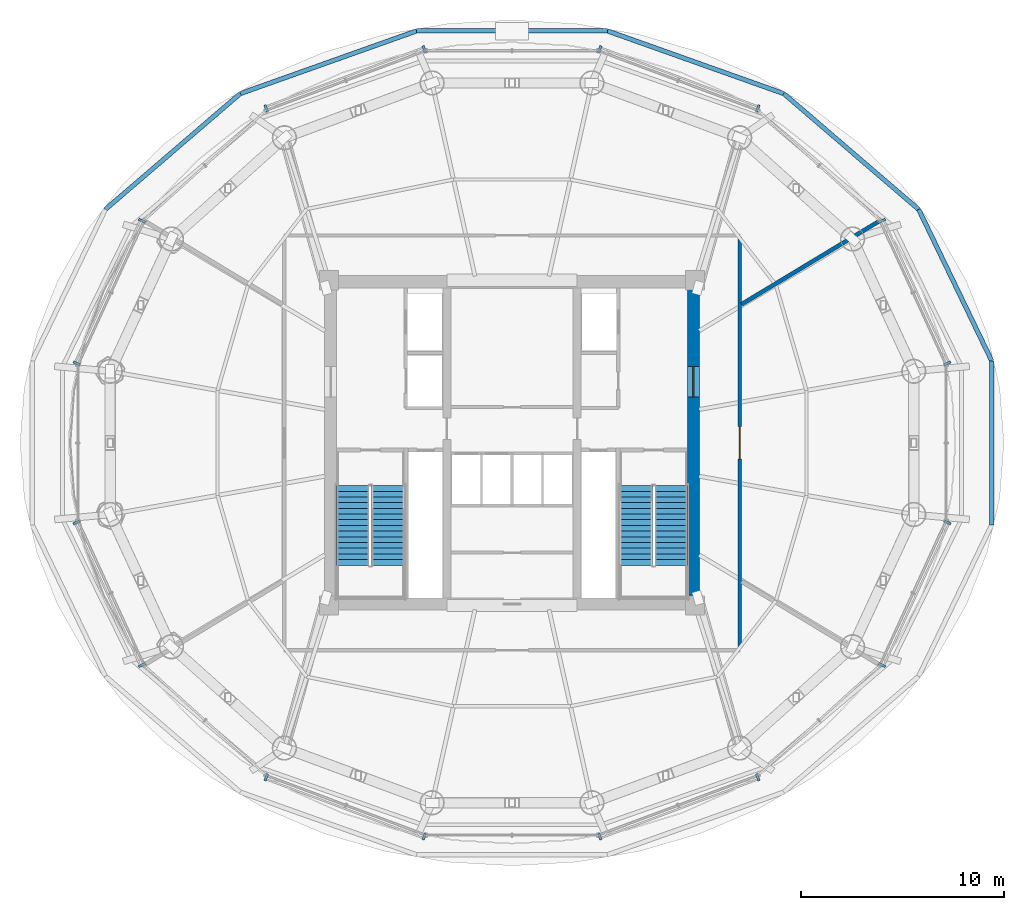
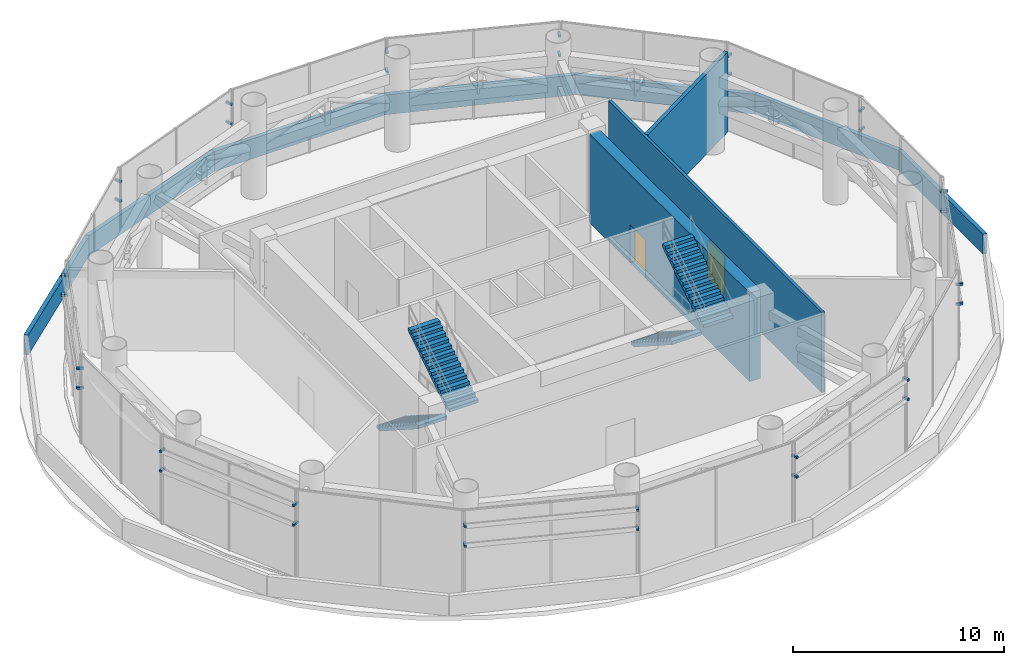
# One storey, part 22 of 25: 32 discrete accessories, 10 walls, 4 stair flights, 2 doors, 2 openings, 2 elements without a shape of their own.
"""IFC4 building model written with IfcOpenShell, lengths in metres."""

import ifcopenshell
import ifcopenshell.guid

model = None  # the IFC model being written
_history = None  # IfcOwnerHistory: only IFC2X3 demands one
_inside = {}  # id of a spatial element -> (the spatial element, [elements in it])
_under = {}  # id of a project, library or spatial element -> (it, [spatial elements below it])
_declared = {}  # id of a project -> (the project, [libraries it declares])
_typed = {}  # id of a type object -> (the type object, [elements of that type])
_made_of = {}  # id of a material, layer set ... -> (it, [elements and type objects made of it])


def new_model(schema):
    """Start an empty IFC model of exactly this schema.

    Asked for "IFC4X3", IfcOpenShell would pick the latest addendum, in which some entities
    have other attributes; the version numbers below select the first issue.
    IFC2X3 requires an IfcOwnerHistory on every rooted entity: one is made here for all.
    """
    global model, _history
    if schema == "IFC4X3":
        model = ifcopenshell.file(schema_version=(4, 3, 0, 0))
    else:
        model = ifcopenshell.file(schema=schema)
    _inside.clear()
    _under.clear()
    _declared.clear()
    _typed.clear()
    _made_of.clear()
    _history = None
    if model.schema == "IFC2X3":
        org = make("IfcOrganization", Name="unknown")
        user = make(
            "IfcPersonAndOrganization",
            ThePerson=make("IfcPerson", FamilyName="unknown"),
            TheOrganization=org,
        )
        app = make(
            "IfcApplication",
            ApplicationDeveloper=org,
            Version="unknown",
            ApplicationFullName="unknown",
            ApplicationIdentifier="unknown",
        )
        _history = make(
            "IfcOwnerHistory",
            OwningUser=user,
            OwningApplication=app,
            ChangeAction="ADDED",
            CreationDate=0,
        )
    return model


def make(cls, **values):
    """One entity of the class cls with the attributes given. An attribute that is None is left unset."""
    return model.create_entity(
        cls, **{name: value for name, value in values.items() if value is not None}
    )


def rooted(cls, **values):
    """An entity with a GlobalId (a new one), such as an element, a storey or a relation."""
    return make(cls, GlobalId=ifcopenshell.guid.new(), OwnerHistory=_history, **values)


def si_unit(unit_type, name, prefix=None):
    """IfcSIUnit, for example si_unit("LENGTHUNIT", "METRE", prefix="MILLI")."""
    return make("IfcSIUnit", UnitType=unit_type, Prefix=prefix, Name=name)


def assignment(units):
    """IfcUnitAssignment: the units of a project."""
    return None if units is None else make("IfcUnitAssignment", Units=units)


def point(xyz):
    """IfcCartesianPoint."""
    return None if xyz is None else make("IfcCartesianPoint", Coordinates=xyz)


def direction(xyz):
    """IfcDirection."""
    return None if xyz is None else make("IfcDirection", DirectionRatios=xyz)


def frame(location, z_axis=None, x_axis=None):
    """IfcAxis2Placement3D, a coordinate frame: its origin and axes. An axis left out is left unset."""
    return make(
        "IfcAxis2Placement3D",
        Location=point(location),
        Axis=direction(z_axis),
        RefDirection=direction(x_axis),
    )


def frame_2d(location, x_axis=None):
    """IfcAxis2Placement2D, a coordinate frame in the plane: its origin and x axis."""
    return make(
        "IfcAxis2Placement2D", Location=point(location), RefDirection=direction(x_axis)
    )


def origin():
    """The frame at (0, 0, 0) with its axes left unset."""
    return frame((0.0, 0.0, 0.0))


def origin_2d():
    """The frame at (0, 0) in the plane with its x axis left unset."""
    return frame_2d((0.0, 0.0))


def place(relative_to, where):
    """IfcLocalPlacement: puts the frame where relative to a parent placement (None: the world)."""
    return make(
        "IfcLocalPlacement", PlacementRelTo=relative_to, RelativePlacement=where
    )


def context(
    kind, dimensions, precision=None, world=None, true_north=None, identifier=None
):
    """IfcGeometricRepresentationContext, for example the 3D "Model" context."""
    return make(
        "IfcGeometricRepresentationContext",
        ContextIdentifier=identifier,
        ContextType=kind,
        CoordinateSpaceDimension=dimensions,
        Precision=precision,
        WorldCoordinateSystem=world,
        TrueNorth=true_north,
    )


def subcontext(parent, identifier, kind, view, scale=None):
    """IfcGeometricRepresentationSubContext, for example "Body" below "Model"."""
    return make(
        "IfcGeometricRepresentationSubContext",
        ContextIdentifier=identifier,
        ContextType=kind,
        ParentContext=parent,
        TargetScale=scale,
        TargetView=view,
    )


def project(units=None, contexts=None):
    """IfcProject with its units and contexts."""
    return rooted(
        "IfcProject",
        Name="project",
        RepresentationContexts=contexts,
        UnitsInContext=assignment(units),
    )


def spatial(cls, under=None, at=None, **own):
    """A site, building, storey or space (cls), placed at a placement, below another one or the project."""
    s = rooted(cls, ObjectPlacement=at, **own)
    if under is not None:
        _under.setdefault(under.id(), (under, []))[1].append(s)
    return s


def polyline(points):
    """IfcPolyline through the points."""
    return make("IfcPolyline", Points=[point(p) for p in points])


def profile(cls, at=None, kind="AREA", **sizes):
    """A parametric profile (cls). Its sizes go by their IFC names, for example OverallWidth=200.0."""
    return make(cls, ProfileType=kind, Position=at, **sizes)


def rectangle(**sizes):
    """IfcRectangleProfileDef."""
    return profile("IfcRectangleProfileDef", **sizes)


def outline(outer, holes=None, kind="AREA"):
    """IfcArbitraryClosedProfileDef: a profile drawn as a closed curve; with holes, ...WithVoids."""
    if holes is None:
        return make("IfcArbitraryClosedProfileDef", ProfileType=kind, OuterCurve=outer)
    return make(
        "IfcArbitraryProfileDefWithVoids",
        ProfileType=kind,
        OuterCurve=outer,
        InnerCurves=holes,
    )


def extrude(swept, where, along, depth):
    """IfcExtrudedAreaSolid: the profile swept, set in the frame where, extruded along a direction by depth."""
    return make(
        "IfcExtrudedAreaSolid",
        SweptArea=swept,
        Position=where,
        ExtrudedDirection=direction(along),
        Depth=depth,
    )


def shape(context_of_items, identifier, shape_type, items):
    """IfcShapeRepresentation: the items that make up one representation, for example the "Body"."""
    return make(
        "IfcShapeRepresentation",
        ContextOfItems=context_of_items,
        RepresentationIdentifier=identifier,
        RepresentationType=shape_type,
        Items=items,
    )


def source(mapping_origin, context_of_items, identifier, shape_type, items):
    """IfcRepresentationMap: a shape defined once, which mapped items show again and again."""
    return make(
        "IfcRepresentationMap",
        MappingOrigin=mapping_origin,
        MappedRepresentation=shape(context_of_items, identifier, shape_type, items),
    )


def transform(
    local_origin,
    x_axis=None,
    y_axis=None,
    z_axis=None,
    scale=None,
    scale2=None,
    scale3=None,
    uniform=True,
):
    """IfcCartesianTransformationOperator3D, or its non-uniform kind. x_axis, y_axis, z_axis: its Axis1, 2, 3."""
    if uniform:
        return make(
            "IfcCartesianTransformationOperator3D",
            Axis1=direction(x_axis),
            Axis2=direction(y_axis),
            LocalOrigin=point(local_origin),
            Scale=scale,
            Axis3=direction(z_axis),
        )
    return make(
        "IfcCartesianTransformationOperator3DnonUniform",
        Axis1=direction(x_axis),
        Axis2=direction(y_axis),
        LocalOrigin=point(local_origin),
        Scale=scale,
        Axis3=direction(z_axis),
        Scale2=scale2,
        Scale3=scale3,
    )


def mapped(mapping_source, mapping_target):
    """IfcMappedItem: shows the shape of a source again, moved by a transform."""
    return make(
        "IfcMappedItem", MappingSource=mapping_source, MappingTarget=mapping_target
    )


def material(Name=None, Category=None):
    """IfcMaterial."""
    return make("IfcMaterial", Name=Name, Category=Category)


def layer(
    of_material, thickness, ventilated=None, Name=None, Category=None, Priority=None
):
    """IfcMaterialLayer: one layer of a wall or slab, of a material (None: an air gap)."""
    return make(
        "IfcMaterialLayer",
        Material=of_material,
        LayerThickness=thickness,
        IsVentilated=ventilated,
        Name=Name,
        Category=Category,
        Priority=Priority,
    )


def layer_set(layers, Name=None):
    """IfcMaterialLayerSet."""
    return make("IfcMaterialLayerSet", MaterialLayers=layers, LayerSetName=Name)


def made_of(thing, what):
    """Note that an element or type object is made of a material, layer set ...; save() writes the relation."""
    if what is not None:
        _made_of.setdefault(what.id(), (what, []))[1].append(thing)
    return thing


def type_object(cls, material=None, **own):
    """A type object (cls), such as IfcWallType, which elements share."""
    return made_of(rooted(cls, **own), material)


def element(
    cls,
    number,
    at=None,
    inside=None,
    cuts=None,
    type_object=None,
    material=None,
    context=None,
    identifier="Body",
    shape_type=None,
    held_by="IfcProductDefinitionShape",
    body=None,
    shapes=None,
    **own,
):
    """One element of the class cls, such as IfcWall. Its Tag is "e" and its number.

    at: its placement. inside: the storey or other place that contains it. cuts: it is an
    opening in that element (IfcRelVoidsElement). A single representation is given by context,
    identifier, shape_type and body (its items); several are given by shapes. held_by: the class
    of the entity that holds the representations. save() writes the other relations.
    """
    e = rooted(cls, Tag="e%d" % number, ObjectPlacement=at, **own)
    if body is not None:
        shapes = [shape(context, identifier, shape_type, body)]
    if shapes is not None:
        e.Representation = make(held_by, Representations=shapes)
    if inside is not None:
        _inside.setdefault(inside.id(), (inside, []))[1].append(e)
    if cuts is not None:
        rooted(
            "IfcRelVoidsElement", RelatingBuildingElement=cuts, RelatedOpeningElement=e
        )
    if type_object is not None:
        _typed.setdefault(type_object.id(), (type_object, []))[1].append(e)
    return made_of(e, material)


def fill(opening, filler):
    """IfcRelFillsElement: the door or window that sits in an opening."""
    return rooted(
        "IfcRelFillsElement",
        RelatingOpeningElement=opening,
        RelatedBuildingElement=filler,
    )


def aggregate(whole, parts):
    """IfcRelAggregates: a whole, such as a stair, and the parts it consists of."""
    return rooted("IfcRelAggregates", RelatingObject=whole, RelatedObjects=parts)


def save(model, path):
    """Write the relations noted so far, then the file.

    IfcRelAggregates (storeys below a building ...), IfcRelContainedInSpatialStructure (elements
    in a storey), IfcRelDefinesByType, IfcRelAssociatesMaterial and IfcRelDeclares: one each for
    every whole, place, type object, material and project.
    """
    for whole, parts in _under.values():
        aggregate(whole, parts)
    for where, things in _inside.values():
        rooted(
            "IfcRelContainedInSpatialStructure",
            RelatedElements=things,
            RelatingStructure=where,
        )
    for kind, things in _typed.values():
        rooted("IfcRelDefinesByType", RelatedObjects=things, RelatingType=kind)
    for what, things in _made_of.values():
        rooted("IfcRelAssociatesMaterial", RelatedObjects=things, RelatingMaterial=what)
    for by, libraries in _declared.values():
        rooted("IfcRelDeclares", RelatingContext=by, RelatedDefinitions=libraries)
    model.write(path)


model = new_model("IFC4")

# Units and contexts
model_context = context("Model", 3, precision=1e-05, world=origin(), true_north=direction((-0.2419218956, 0.970295726276)))
body_context = subcontext(model_context, "Body", "Model", "MODEL_VIEW")
ifc_project = project(units=[si_unit("LENGTHUNIT", "METRE"), si_unit("AREAUNIT", "SQUARE_METRE"), si_unit("VOLUMEUNIT", "CUBIC_METRE"), si_unit("PLANEANGLEUNIT", "RADIAN"), si_unit("MASSUNIT", "GRAM", prefix="KILO")], contexts=[model_context])

# Site, building, storey
site_placement = place(None, origin())
site = spatial("IfcSite", under=ifc_project, at=site_placement, CompositionType="ELEMENT")
building_placement = place(site_placement, origin())
building = spatial("IfcBuilding", under=site, at=building_placement, Name="Cobrevalo Terracotta Tower", CompositionType="ELEMENT")
storey_placement = place(building_placement, frame((0.0, 0.0, 185.800048828125)))
storey = spatial("IfcBuildingStorey", under=building, at=storey_placement, Name="L49", CompositionType="ELEMENT", Elevation=185.800048828125)

# Wall, opening, door
ifc_material_1 = material(Name="Concrete C55", Category="concrete")
ifc_layer_1 = layer(ifc_material_1, 0.60009765625)
ifc_layer_set_1 = layer_set([ifc_layer_1], Name="Concrete C55")
wall_type_1 = type_object("IfcWallType", Name="Core shear wall 600 mm Concrete C55", PredefinedType="SHEAR", material=ifc_layer_set_1)
wall_1_placement = place(storey_placement, frame((46.925048828125, 19.175048828125, 0.0), z_axis=(0.0, 0.0, 1.0), x_axis=(0.0, 1.0, 0.0)))
wall_1 = element("IfcWall", 1, at=wall_1_placement, inside=storey, type_object=wall_type_1, Name="L49 east core shear wall", PredefinedType="SHEAR", context=body_context, shape_type="SweptSolid", body=[
    extrude(rectangle(XDim=15.25, YDim=0.60009765625, at=frame_2d((7.625, 0.0))), origin(), (0.0, 0.0, 1.0), 5.135009765625),
])
opening_1_placement = place(wall_1_placement, frame((9.875, 0.0, 0.0)))
opening_1 = element("IfcOpeningElement", 2, at=opening_1_placement, cuts=wall_1, Name="Opening ID-14", PredefinedType="OPENING", context=body_context, shape_type="SweptSolid", body=[
    extrude(rectangle(XDim=1.5, YDim=2.199951171875, at=frame_2d((0.75, 1.10009765625))), frame((0.0, 0.31005859375, 0.0), z_axis=(0.0, -1.0, 0.0), x_axis=(1.0, 0.0, 0.0)), (0.0, 0.0, 1.0), 0.6201171875),
])
ifc_material_2 = material(Name="Galvanized fire-rated steel", Category="steel")
door_type_1 = type_object("IfcDoorType", Name="Core cross-lobby double fire door 1500x2200 EI 90", OperationType="NOTDEFINED", PredefinedType="DOOR", material=ifc_material_2)
shared_shape_1 = source(origin(), body_context, "Body", "SweptSolid", [
    extrude(rectangle(XDim=1.5, YDim=2.199951171875, at=frame_2d((0.75, 1.10009765625))), frame((0.0, 0.02490234375, 0.0), z_axis=(0.0, -1.0, 0.0), x_axis=(1.0, 0.0, 0.0)), (0.0, 0.0, 1.0), 0.050048828125),
])
door_1_placement = place(opening_1_placement, frame((1.5, 0.0, 0.0), z_axis=(0.0, 0.0, 1.0), x_axis=(-1.0, 0.0, 0.0)))
door_1 = element("IfcDoor", 3, at=door_1_placement, inside=storey, type_object=door_type_1, Name="L49 east firefighting lobby entrance door", OperationType="DOUBLE_DOOR_SINGLE_SWING", OverallHeight=2.199951171875, OverallWidth=1.5, PredefinedType="DOOR", context=body_context, shape_type="MappedRepresentation", body=[
    mapped(shared_shape_1, transform((0.0, 0.0, 0.0), scale=1.0)),
])
fill(opening_1, door_1)

ifc_material_3 = material(Name="Gypsum board on steel stud", Category="steel")
ifc_layer_2 = layer(ifc_material_3, 0.159912109375)
ifc_layer_set_2 = layer_set([ifc_layer_2], Name="Gypsum board on steel stud")
wall_type_2 = type_object("IfcWallType", Name="Fire-rated corridor acoustic partition wall 160 mm", PredefinedType="PARTITIONING", material=ifc_layer_set_2)
wall_2_placement = place(storey_placement, frame((49.205078125, 16.675048828125, 0.0), z_axis=(0.0, 0.0, 1.0), x_axis=(0.0, 1.0, 0.0)))
wall_2 = element("IfcWall", 4, at=wall_2_placement, inside=storey, type_object=wall_type_2, Name="L49 interior partition IW-L49-COR-E", PredefinedType="PARTITIONING", context=body_context, shape_type="SweptSolid", body=[
    extrude(rectangle(XDim=20.25, YDim=0.159912109375, at=frame_2d((10.125, 0.0))), origin(), (0.0, 0.0, 1.0), 4.65087890625),
])
opening_2_placement = place(wall_2_placement, frame((9.324951171875, 0.0, 0.0)))
opening_2 = element("IfcOpeningElement", 5, at=opening_2_placement, cuts=wall_2, Name="Opening ID-06", PredefinedType="OPENING", context=body_context, shape_type="SweptSolid", body=[
    extrude(rectangle(XDim=1.60009765625, YDim=2.25, at=frame_2d((0.800048828125, 1.125))), frame((0.0, 0.08984375, 0.0), z_axis=(0.0, -1.0, 0.0), x_axis=(1.0, 0.0, 0.0)), (0.0, 0.0, 1.0), 0.179931640625),
])
door_type_2 = type_object("IfcDoorType", Name="Plant & mechanical room double fire door 1600x2250 EI 90", OperationType="NOTDEFINED", PredefinedType="DOOR", material=ifc_material_2)
shared_shape_2 = source(origin(), body_context, "Body", "SweptSolid", [
    extrude(rectangle(XDim=1.60009765625, YDim=2.25, at=frame_2d((0.800048828125, 1.125))), frame((0.0, 0.02490234375, 0.0), z_axis=(0.0, -1.0, 0.0), x_axis=(1.0, 0.0, 0.0)), (0.0, 0.0, 1.0), 0.050048828125),
])
door_2_placement = place(opening_2_placement, origin())
door_2 = element("IfcDoor", 6, at=door_2_placement, inside=storey, type_object=door_type_2, Name="L49 Hydronic Heat-Exchanger Plant East door", OperationType="DOUBLE_DOOR_SINGLE_SWING", OverallHeight=2.25, OverallWidth=1.60009765625, PredefinedType="DOOR", context=body_context, shape_type="MappedRepresentation", body=[
    mapped(shared_shape_2, transform((0.0, 0.0, 0.0), scale=1.0)),
])
fill(opening_2, door_2)

# Walls
ifc_material_4 = material(Name="Autoclaved aerated concrete block", Category="concrete")
ifc_layer_3 = layer(ifc_material_4, 0.199951171875)
ifc_layer_set_3 = layer_set([ifc_layer_3], Name="Autoclaved aerated concrete block")
wall_type_3 = type_object("IfcWallType", Name="Fire-rated stair, shaft & demising masonry wall 200 mm", PredefinedType="PARTITIONING", material=ifc_layer_set_3)
wall_3_placement = place(storey_placement, frame((49.28662109375, 33.614990234375, 0.0), z_axis=(0.0, 0.0, 1.0), x_axis=(0.856043191518, 0.516904298933, 0.0)))
element("IfcWall", 7, at=wall_3_placement, inside=storey, type_object=wall_type_3, Name="L49 interior partition IW-L49-PW4", PredefinedType="PARTITIONING", context=body_context, shape_type="SweptSolid", body=[
    extrude(rectangle(XDim=7.864013671875, YDim=0.199951171875, at=frame_2d((3.93212890625, 0.0))), origin(), (0.0, 0.0, 1.0), 4.65087890625),
])
ifc_material_5 = material(Name="Precast concrete C45", Category="concrete")
ifc_layer_4 = layer(ifc_material_5, 0.219970703125)
ifc_layer_set_4 = layer_set([ifc_layer_4], Name="Precast concrete C45")
wall_type_4 = type_object("IfcWallType", Name="Precast concrete roof and setback terrace parapet wall 220 mm", PredefinedType="PARAPET", material=ifc_layer_set_4)
wall_4_placement = place(storey_placement, frame((61.59765625, 30.83056640625, 0.0), z_axis=(0.0, 0.0, 1.0), x_axis=(-0.434472436511, 0.900685129172, 0.0)))
element("IfcWall", 8, at=wall_4_placement, inside=storey, type_object=wall_type_4, Name="L49 setback roof concrete parapet 01", PredefinedType="PARAPET", context=body_context, shape_type="SweptSolid", body=[
    extrude(rectangle(XDim=8.268798828125, YDim=0.219970703125, at=frame_2d((4.13427734375, 0.0))), origin(), (0.0, 0.0, 1.0), 1.14990234375),
])
wall_5_placement = place(storey_placement, frame((58.005126953125, 38.278076171875, 0.0), z_axis=(0.0, 0.0, 1.0), x_axis=(-0.758673296268, 0.651471280664, 0.0)))
element("IfcWall", 9, at=wall_5_placement, inside=storey, type_object=wall_type_4, Name="L49 setback roof concrete parapet 02", PredefinedType="PARAPET", context=body_context, shape_type="SweptSolid", body=[
    extrude(rectangle(XDim=8.749755859375, YDim=0.219970703125, at=frame_2d((4.375, 0.0))), origin(), (0.0, 0.0, 1.0), 1.14990234375),
])
wall_6_placement = place(storey_placement, frame((51.366943359375, 43.978271484375, 0.0), z_axis=(0.0, 0.0, 1.0), x_axis=(-0.942182129644, 0.335101230346, 0.0)))
element("IfcWall", 10, at=wall_6_placement, inside=storey, type_object=wall_type_4, Name="L49 setback roof concrete parapet 03", PredefinedType="PARAPET", context=body_context, shape_type="SweptSolid", body=[
    extrude(rectangle(XDim=9.205322265625, YDim=0.219970703125, at=frame_2d((4.6025390625, 0.0))), origin(), (0.0, 0.0, 1.0), 1.14990234375),
])
wall_7_placement = place(storey_placement, frame((42.69384765625, 47.06298828125, 0.0), z_axis=(0.0, 0.0, 1.0), x_axis=(-1.0, 0.0, 0.0)))
element("IfcWall", 11, at=wall_7_placement, inside=storey, type_object=wall_type_4, Name="L49 setback roof concrete parapet 04", PredefinedType="PARAPET", context=body_context, shape_type="SweptSolid", body=[
    extrude(rectangle(XDim=9.3876953125, YDim=0.219970703125, at=frame_2d((4.69384765625, 0.0))), origin(), (0.0, 0.0, 1.0), 1.14990234375),
])
wall_8_placement = place(storey_placement, frame((33.30615234375, 47.06298828125, 0.0), z_axis=(0.0, 0.0, 1.0), x_axis=(-0.942182129644, -0.335101230346, 0.0)))
element("IfcWall", 12, at=wall_8_placement, inside=storey, type_object=wall_type_4, Name="L49 setback roof concrete parapet 05", PredefinedType="PARAPET", context=body_context, shape_type="SweptSolid", body=[
    extrude(rectangle(XDim=9.205322265625, YDim=0.219970703125, at=frame_2d((4.6025390625, 0.0))), origin(), (0.0, 0.0, 1.0), 1.14990234375),
])
wall_9_placement = place(storey_placement, frame((24.633056640625, 43.978271484375, 0.0), z_axis=(0.0, 0.0, 1.0), x_axis=(-0.758673296268, -0.651471280664, 0.0)))
element("IfcWall", 13, at=wall_9_placement, inside=storey, type_object=wall_type_4, Name="L49 setback roof concrete parapet 06", PredefinedType="PARAPET", context=body_context, shape_type="SweptSolid", body=[
    extrude(rectangle(XDim=8.749755859375, YDim=0.219970703125, at=frame_2d((4.375, 0.0))), origin(), (0.0, 0.0, 1.0), 1.14990234375),
])
wall_10_placement = place(storey_placement, frame((61.59765625, 22.76953125, 0.0), z_axis=(0.0, 0.0, 1.0), x_axis=(0.0, 1.0, 0.0)))
element("IfcWall", 14, at=wall_10_placement, inside=storey, type_object=wall_type_4, Name="L49 setback roof concrete parapet 16", PredefinedType="PARAPET", context=body_context, shape_type="SweptSolid", body=[
    extrude(rectangle(XDim=8.06103515625, YDim=0.219970703125, at=frame_2d((4.030517578125, 0.0))), origin(), (0.0, 0.0, 1.0), 1.14990234375),
])

# Stair, stair flights
ifc_material_6 = material(Name="Concrete C50", Category="concrete")
stair_type = type_object("IfcStairType", Name="Core protected escape dogleg stair 1600", PredefinedType="HALF_TURN_STAIR", material=ifc_material_6)
stair_1_placement = place(storey_placement, origin())
stair_1 = element("IfcStair", 15, at=stair_1_placement, inside=storey, type_object=stair_type, Name="L49 Protected exit stair ST-1", PredefinedType="HALF_TURN_STAIR")
stair_flight_type = type_object("IfcStairFlightType", Name="Core protected escape dogleg stair 1600 flight", PredefinedType="STRAIGHT", material=ifc_material_6)
stair_flight_1_placement = place(storey_placement, frame((30.175048828125, 24.699951171875, 0.0), z_axis=(0.0, 0.0, 1.0), x_axis=(0.0, -1.0, 0.0)))
stair_flight_1 = element("IfcStairFlight", 16, at=stair_flight_1_placement, type_object=stair_flight_type, Name="ST-1 flight 1", NumberOfRisers=15, NumberOfTreads=14, PredefinedType="STRAIGHT", RiserHeight=0.18, TreadLength=0.28, context=body_context, shape_type="SweptSolid", body=[
    extrude(outline(polyline([(0.0, 0.0), (0.0, 0.179931640625), (0.280029296875, 0.179931640625), (0.280029296875, 0.360107421875), (0.56005859375, 0.360107421875), (0.56005859375, 0.5400390625), (0.840087890625, 0.5400390625), (0.840087890625, 0.719970703125), (1.1201171875, 0.719970703125), (1.1201171875, 0.89990234375), (1.39990234375, 0.89990234375), (1.39990234375, 1.080078125), (1.679931640625, 1.080078125), (1.679931640625, 1.260009765625), (1.9599609375, 1.260009765625), (1.9599609375, 1.43994140625), (2.239990234375, 1.43994140625), (2.239990234375, 1.6201171875), (2.52001953125, 1.6201171875), (2.52001953125, 1.800048828125), (2.800048828125, 1.800048828125), (2.800048828125, 1.97998046875), (3.080078125, 1.97998046875), (3.080078125, 2.159912109375), (3.360107421875, 2.159912109375), (3.360107421875, 2.340087890625), (3.639892578125, 2.340087890625), (3.639892578125, 2.52001953125), (3.919921875, 2.52001953125), (3.919921875, 2.699951171875), (3.919921875, 2.329833984375), (0.295654296875, 0.0), (0.0, 0.0)])), frame((0.0, 0.800048828125, 0.0), z_axis=(0.0, -1.0, 0.0), x_axis=(1.0, 0.0, 0.0)), (0.0, 0.0, 1.0), 1.60009765625),
])
stair_flight_2_placement = place(storey_placement, frame((31.89501953125, 20.780029296875, 2.699951171875), z_axis=(0.0, 0.0, 1.0), x_axis=(0.0, 1.0, 0.0)))
stair_flight_2 = element("IfcStairFlight", 17, at=stair_flight_2_placement, type_object=stair_flight_type, Name="ST-1 flight 2", NumberOfRisers=15, NumberOfTreads=14, PredefinedType="STRAIGHT", RiserHeight=0.18, TreadLength=0.28, context=body_context, shape_type="SweptSolid", body=[
    extrude(outline(polyline([(0.0, 0.0), (0.0, 0.179931640625), (0.280029296875, 0.179931640625), (0.280029296875, 0.360107421875), (0.56005859375, 0.360107421875), (0.56005859375, 0.5400390625), (0.840087890625, 0.5400390625), (0.840087890625, 0.719970703125), (1.1201171875, 0.719970703125), (1.1201171875, 0.89990234375), (1.39990234375, 0.89990234375), (1.39990234375, 1.080078125), (1.679931640625, 1.080078125), (1.679931640625, 1.260009765625), (1.9599609375, 1.260009765625), (1.9599609375, 1.43994140625), (2.239990234375, 1.43994140625), (2.239990234375, 1.6201171875), (2.52001953125, 1.6201171875), (2.52001953125, 1.800048828125), (2.800048828125, 1.800048828125), (2.800048828125, 1.97998046875), (3.080078125, 1.97998046875), (3.080078125, 2.159912109375), (3.360107421875, 2.159912109375), (3.360107421875, 2.340087890625), (3.639892578125, 2.340087890625), (3.639892578125, 2.52001953125), (3.919921875, 2.52001953125), (3.919921875, 2.699951171875), (3.919921875, 2.329833984375), (0.295654296875, 0.0), (0.0, 0.0)])), frame((0.0, 0.800048828125, 0.0), z_axis=(0.0, -1.0, 0.0), x_axis=(1.0, 0.0, 0.0)), (0.0, 0.0, 1.0), 1.60009765625),
])
aggregate(stair_1, [stair_flight_1, stair_flight_2])

stair_2_placement = place(storey_placement, origin())
stair_2 = element("IfcStair", 18, at=stair_2_placement, inside=storey, type_object=stair_type, Name="L49 Protected exit stair ST-2", PredefinedType="HALF_TURN_STAIR")
stair_flight_3_placement = place(storey_placement, frame((44.10498046875, 24.699951171875, 0.0), z_axis=(0.0, 0.0, 1.0), x_axis=(0.0, -1.0, 0.0)))
stair_flight_3 = element("IfcStairFlight", 19, at=stair_flight_3_placement, type_object=stair_flight_type, Name="ST-2 flight 1", NumberOfRisers=15, NumberOfTreads=14, PredefinedType="STRAIGHT", RiserHeight=0.18, TreadLength=0.28, context=body_context, shape_type="SweptSolid", body=[
    extrude(outline(polyline([(0.0, 0.0), (0.0, 0.179931640625), (0.280029296875, 0.179931640625), (0.280029296875, 0.360107421875), (0.56005859375, 0.360107421875), (0.56005859375, 0.5400390625), (0.840087890625, 0.5400390625), (0.840087890625, 0.719970703125), (1.1201171875, 0.719970703125), (1.1201171875, 0.89990234375), (1.39990234375, 0.89990234375), (1.39990234375, 1.080078125), (1.679931640625, 1.080078125), (1.679931640625, 1.260009765625), (1.9599609375, 1.260009765625), (1.9599609375, 1.43994140625), (2.239990234375, 1.43994140625), (2.239990234375, 1.6201171875), (2.52001953125, 1.6201171875), (2.52001953125, 1.800048828125), (2.800048828125, 1.800048828125), (2.800048828125, 1.97998046875), (3.080078125, 1.97998046875), (3.080078125, 2.159912109375), (3.360107421875, 2.159912109375), (3.360107421875, 2.340087890625), (3.639892578125, 2.340087890625), (3.639892578125, 2.52001953125), (3.919921875, 2.52001953125), (3.919921875, 2.699951171875), (3.919921875, 2.329833984375), (0.295654296875, 0.0), (0.0, 0.0)])), frame((0.0, 0.800048828125, 0.0), z_axis=(0.0, -1.0, 0.0), x_axis=(1.0, 0.0, 0.0)), (0.0, 0.0, 1.0), 1.60009765625),
])
stair_flight_4_placement = place(storey_placement, frame((45.824951171875, 20.780029296875, 2.699951171875), z_axis=(0.0, 0.0, 1.0), x_axis=(0.0, 1.0, 0.0)))
stair_flight_4 = element("IfcStairFlight", 20, at=stair_flight_4_placement, type_object=stair_flight_type, Name="ST-2 flight 2", NumberOfRisers=15, NumberOfTreads=14, PredefinedType="STRAIGHT", RiserHeight=0.18, TreadLength=0.28, context=body_context, shape_type="SweptSolid", body=[
    extrude(outline(polyline([(0.0, 0.0), (0.0, 0.179931640625), (0.280029296875, 0.179931640625), (0.280029296875, 0.360107421875), (0.56005859375, 0.360107421875), (0.56005859375, 0.5400390625), (0.840087890625, 0.5400390625), (0.840087890625, 0.719970703125), (1.1201171875, 0.719970703125), (1.1201171875, 0.89990234375), (1.39990234375, 0.89990234375), (1.39990234375, 1.080078125), (1.679931640625, 1.080078125), (1.679931640625, 1.260009765625), (1.9599609375, 1.260009765625), (1.9599609375, 1.43994140625), (2.239990234375, 1.43994140625), (2.239990234375, 1.6201171875), (2.52001953125, 1.6201171875), (2.52001953125, 1.800048828125), (2.800048828125, 1.800048828125), (2.800048828125, 1.97998046875), (3.080078125, 1.97998046875), (3.080078125, 2.159912109375), (3.360107421875, 2.159912109375), (3.360107421875, 2.340087890625), (3.639892578125, 2.340087890625), (3.639892578125, 2.52001953125), (3.919921875, 2.52001953125), (3.919921875, 2.699951171875), (3.919921875, 2.329833984375), (0.295654296875, 0.0), (0.0, 0.0)])), frame((0.0, 0.800048828125, 0.0), z_axis=(0.0, -1.0, 0.0), x_axis=(1.0, 0.0, 0.0)), (0.0, 0.0, 1.0), 1.60009765625),
])
aggregate(stair_2, [stair_flight_3, stair_flight_4])

# Discrete accessories
ifc_material_7 = material(Name="Brushed stainless steel", Category="steel")
ifc_layer_5 = layer(ifc_material_7, 0.1201171875)
ifc_layer_set_5 = layer_set([ifc_layer_5], Name="Brushed stainless steel")
discrete_accessory_type = type_object("IfcDiscreteAccessoryType", Name="Stainless Steel Facade & Canopy Support Bracket", PredefinedType="BRACKET", material=ifc_layer_set_5)
shared_shape_3 = source(origin(), body_context, "Body", "SweptSolid", [
    extrude(rectangle(XDim=0.1201171875, YDim=0.360107421875, at=origin_2d()), origin(), (0.0, 0.0, 1.0), 0.1201171875),
])
for number, where, z_axis, x_axis, name in (
    (21, (59.416748046875, 30.711181640625, 3.12353515625), (0.0, 0.0, 1.0), (-0.416731425355, 0.909029657999, 0.0), "CW-LV-L49-S01 stainless baguette support bracket 1-A"),
    (22, (56.199462890625, 37.729248046875, 3.12353515625), (0.0, 0.0, 1.0), (-0.416731425355, 0.909029657999, 0.0), "CW-LV-L49-S01 stainless baguette support bracket 1-B"),
    (23, (59.416748046875, 30.711181640625, 4.253173828125), (0.0, 0.0, 1.0), (-0.416731425355, 0.909029657999, 0.0), "CW-LV-L49-S01 stainless baguette support bracket 2-A"),
    (24, (56.199462890625, 37.729248046875, 4.253173828125), (0.0, 0.0, 1.0), (-0.416731425355, 0.909029657999, 0.0), "CW-LV-L49-S01 stainless baguette support bracket 2-B"),
    (25, (50.0888671875, 43.25341796875, 3.12353515625), (0.0, 0.0, 1.0), (-0.936557839879, 0.350513070458, 0.0), "CW-LV-L49-S03 stainless baguette support bracket 1-A"),
    (26, (42.316162109375, 46.162353515625, 3.12353515625), (0.0, 0.0, 1.0), (-0.936557839879, 0.350513070458, 0.0), "CW-LV-L49-S03 stainless baguette support bracket 1-B"),
    (27, (50.0888671875, 43.25341796875, 4.253173828125), (0.0, 0.0, 1.0), (-0.936557839879, 0.350513070458, 0.0), "CW-LV-L49-S03 stainless baguette support bracket 2-A"),
    (28, (42.316162109375, 46.162353515625, 4.253173828125), (0.0, 0.0, 1.0), (-0.936557839879, 0.350513070458, 0.0), "CW-LV-L49-S03 stainless baguette support bracket 2-B"),
    (29, (33.683837890625, 46.162353515625, 3.12353515625), (0.0, 0.0, 1.0), (-0.936557839879, -0.350513070458, 0.0), "CW-LV-L49-S05 stainless baguette support bracket 1-A"),
    (30, (25.9111328125, 43.25341796875, 3.12353515625), (0.0, 0.0, 1.0), (-0.936557839879, -0.350513070458, 0.0), "CW-LV-L49-S05 stainless baguette support bracket 1-B"),
    (31, (33.683837890625, 46.162353515625, 4.253173828125), (0.0, 0.0, 1.0), (-0.936557839879, -0.350513070458, 0.0), "CW-LV-L49-S05 stainless baguette support bracket 2-A"),
    (32, (25.9111328125, 43.25341796875, 4.253173828125), (0.0, 0.0, 1.0), (-0.936557839879, -0.350513070458, 0.0), "CW-LV-L49-S05 stainless baguette support bracket 2-B"),
    (33, (19.800537109375, 37.729248046875, 3.12353515625), (0.0, 0.0, 1.0), (-0.416731425355, -0.909029657999, 0.0), "CW-LV-L49-S07 stainless baguette support bracket 1-A"),
    (34, (16.583251953125, 30.711181640625, 3.12353515625), (0.0, 0.0, 1.0), (-0.416731425355, -0.909029657999, 0.0), "CW-LV-L49-S07 stainless baguette support bracket 1-B"),
    (35, (19.800537109375, 37.729248046875, 4.253173828125), (0.0, 0.0, 1.0), (-0.416731425355, -0.909029657999, 0.0), "CW-LV-L49-S07 stainless baguette support bracket 2-A"),
    (36, (16.583251953125, 30.711181640625, 4.253173828125), (0.0, 0.0, 1.0), (-0.416731425355, -0.909029657999, 0.0), "CW-LV-L49-S07 stainless baguette support bracket 2-B"),
    (37, (16.583251953125, 22.888671875, 3.12353515625), (0.0, 0.0, 1.0), (0.416731425355, -0.909029657999, 0.0), "CW-LV-L49-S09 stainless baguette support bracket 1-A"),
    (38, (19.800537109375, 15.870849609375, 3.12353515625), (0.0, 0.0, 1.0), (0.416731425355, -0.909029657999, 0.0), "CW-LV-L49-S09 stainless baguette support bracket 1-B"),
    (39, (16.583251953125, 22.888671875, 4.253173828125), (0.0, 0.0, 1.0), (0.416731425355, -0.909029657999, 0.0), "CW-LV-L49-S09 stainless baguette support bracket 2-A"),
    (40, (19.800537109375, 15.870849609375, 4.253173828125), (0.0, 0.0, 1.0), (0.416731425355, -0.909029657999, 0.0), "CW-LV-L49-S09 stainless baguette support bracket 2-B"),
    (41, (25.9111328125, 10.3466796875, 3.12353515625), (0.0, 0.0, 1.0), (0.936557839879, -0.350513070458, 0.0), "CW-LV-L49-S11 stainless baguette support bracket 1-A"),
    (42, (33.683837890625, 7.437744140625, 3.12353515625), (0.0, 0.0, 1.0), (0.936557839879, -0.350513070458, 0.0), "CW-LV-L49-S11 stainless baguette support bracket 1-B"),
    (43, (25.9111328125, 10.3466796875, 4.253173828125), (0.0, 0.0, 1.0), (0.936557839879, -0.350513070458, 0.0), "CW-LV-L49-S11 stainless baguette support bracket 2-A"),
    (44, (33.683837890625, 7.437744140625, 4.253173828125), (0.0, 0.0, 1.0), (0.936557839879, -0.350513070458, 0.0), "CW-LV-L49-S11 stainless baguette support bracket 2-B"),
    (45, (42.316162109375, 7.437744140625, 3.12353515625), (0.0, 0.0, 1.0), (0.936557839879, 0.350513070458, 0.0), "CW-LV-L49-S13 stainless baguette support bracket 1-A"),
    (46, (50.0888671875, 10.3466796875, 3.12353515625), (0.0, 0.0, 1.0), (0.936557839879, 0.350513070458, 0.0), "CW-LV-L49-S13 stainless baguette support bracket 1-B"),
    (47, (42.316162109375, 7.437744140625, 4.253173828125), (0.0, 0.0, 1.0), (0.936557839879, 0.350513070458, 0.0), "CW-LV-L49-S13 stainless baguette support bracket 2-A"),
    (48, (50.0888671875, 10.3466796875, 4.253173828125), (0.0, 0.0, 1.0), (0.936557839879, 0.350513070458, 0.0), "CW-LV-L49-S13 stainless baguette support bracket 2-B"),
    (49, (56.199462890625, 15.870849609375, 3.12353515625), (0.0, 0.0, 1.0), (0.416731425355, 0.909029657999, 0.0), "CW-LV-L49-S15 stainless baguette support bracket 1-A"),
    (50, (59.416748046875, 22.888671875, 3.12353515625), (0.0, 0.0, 1.0), (0.416731425355, 0.909029657999, 0.0), "CW-LV-L49-S15 stainless baguette support bracket 1-B"),
    (51, (56.199462890625, 15.870849609375, 4.253173828125), (0.0, 0.0, 1.0), (0.416731425355, 0.909029657999, 0.0), "CW-LV-L49-S15 stainless baguette support bracket 2-A"),
    (52, (59.416748046875, 22.888671875, 4.253173828125), (0.0, 0.0, 1.0), (0.416731425355, 0.909029657999, 0.0), "CW-LV-L49-S15 stainless baguette support bracket 2-B"),
):
    element("IfcDiscreteAccessory", number, at=place(storey_placement, frame(where, z_axis=z_axis, x_axis=x_axis)), inside=storey, type_object=discrete_accessory_type, Name=name, PredefinedType="BRACKET", context=body_context, shape_type="MappedRepresentation", body=[
        mapped(shared_shape_3, transform((0.0, 0.0, 0.0), scale=1.0)),
    ])

save(model, "model.ifc")
